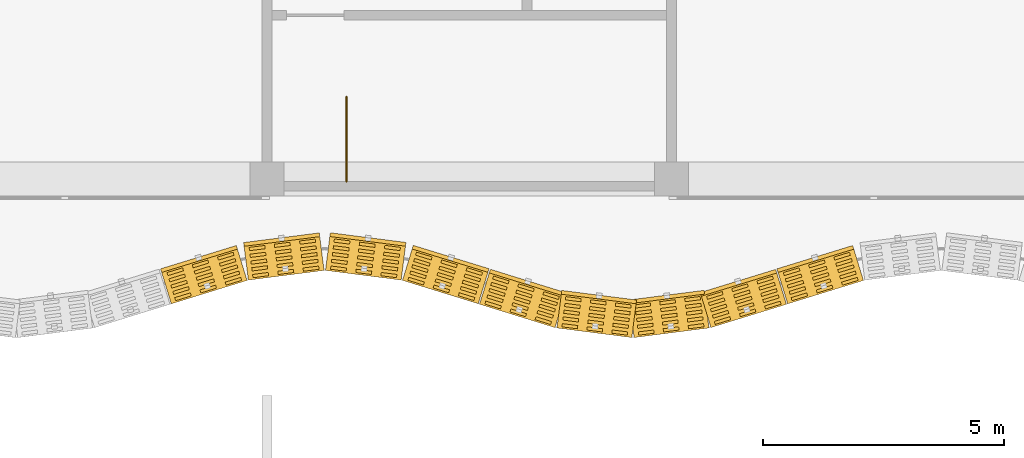
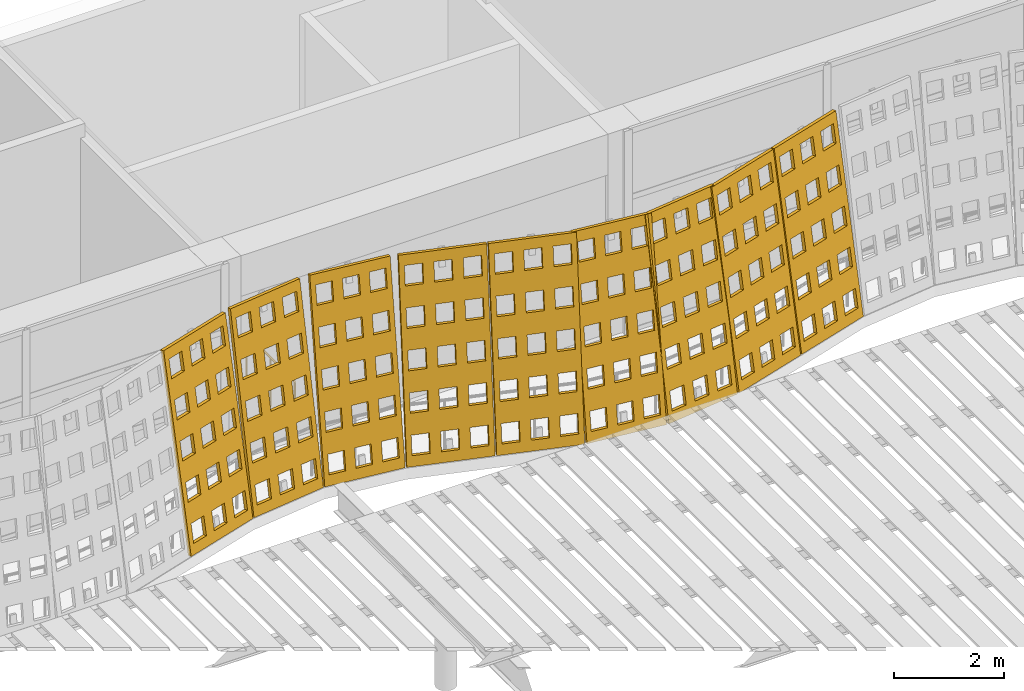
# One storey, part 137 of 162: 9 coverings, 1 railing.
"""IFC4 building model written with IfcOpenShell, lengths in metres."""

from ifc_helpers import new_model, si_unit, direction, frame, origin, origin_2d, place, context, subcontext, project, spatial, polyline, circle, outline, extrude, material, layer, layer_set, type_object, element, save


model = new_model("IFC4")

# Units and contexts
model_context = context("Model", 3, precision=1e-05, world=origin(), true_north=direction((0.0, 1.0)))
body_context = subcontext(model_context, "Body", "Model", "MODEL_VIEW")
ifc_project = project(units=[si_unit("LENGTHUNIT", "METRE"), si_unit("AREAUNIT", "SQUARE_METRE"), si_unit("VOLUMEUNIT", "CUBIC_METRE"), si_unit("PLANEANGLEUNIT", "RADIAN"), si_unit("MASSUNIT", "GRAM", prefix="KILO")], contexts=[model_context])

# Site, building, storey
site_placement = place(None, origin())
site = spatial("IfcSite", under=ifc_project, at=site_placement, CompositionType="ELEMENT")
building_placement = place(site_placement, origin())
building = spatial("IfcBuilding", under=site, at=building_placement, Name="Rain Tree Exposition and Congress Centre", CompositionType="ELEMENT")
storey_placement = place(building_placement, frame((0.0, 0.0, 6.0)))
storey = spatial("IfcBuildingStorey", under=building, at=storey_placement, Name="L01", CompositionType="ELEMENT", Elevation=6.0)

# Railing
ifc_material_1 = material(Name="Aluminium and glass balustrade", Category="aluminium")
railing_type = type_object("IfcRailingType", Name="Concourse guard 1100", PredefinedType="GUARDRAIL", material=ifc_material_1)
railing_placement = place(storey_placement, frame((77.25, 75.550048828125, 0.0)))
element("IfcRailing", 1, at=railing_placement, inside=storey, type_object=railing_type, Name="L01 ST-C2 top well guard 1", PredefinedType="GUARDRAIL", context=body_context, shape_type="SweptSolid", body=[
    extrude(circle(Radius=0.02392578125, at=origin_2d()), frame((0.0, 0.0, 1.076171875), z_axis=(0.0, 1.0, 0.0), x_axis=(-1.0, 0.0, 0.0)), (0.0, 0.0, 1.0), 1.75),
    extrude(circle(Radius=0.02099609375, at=origin_2d()), origin(), (0.0, 0.0, 1.0), 1.052001953125),
    extrude(circle(Radius=0.02099609375, at=origin_2d()), frame((0.0, 0.875, 0.0)), (0.0, 0.0, 1.0), 1.052001953125),
    extrude(circle(Radius=0.02099609375, at=origin_2d()), frame((0.0, 1.75, 0.0)), (0.0, 0.0, 1.0), 1.052001953125),
])

# Coverings
ifc_material_2 = material(Name="Perforated terracotta", Category="masonry")
ifc_layer = layer(ifc_material_2, 0.080078125)
ifc_layer_set = layer_set([ifc_layer], Name="Perforated terracotta")
covering_type = type_object("IfcCoveringType", Name="Terracotta screen 80", PredefinedType="CLADDING", material=ifc_layer_set)
covering_1_placement = place(storey_placement, frame((73.599365234375, 73.001708984375, 0.0126953125), z_axis=(-0.290138898064, 0.943714942124, -0.158812870519), x_axis=(-0.955845867297, -0.293868470528, 0.0)))
element("IfcCovering", 2, at=covering_1_placement, inside=storey, type_object=covering_type, Name="concourse/screen/L01/047", PredefinedType="CLADDING", context=body_context, shape_type="SweptSolid", body=[
    extrude(outline(polyline([(-1.659912109375, 0.0), (-1.659912109375, 4.29150390625), (-0.014892578125, 4.29150390625), (-0.014892578125, 0.0), (-1.659912109375, 0.0)]), holes=[polyline([(-0.119140625, 0.221435546875), (-0.119140625, 0.63671875), (-0.458984375, 0.63671875), (-0.458984375, 0.221435546875), (-0.119140625, 0.221435546875)]), polyline([(-0.119140625, 1.079833984375), (-0.119140625, 1.4951171875), (-0.458984375, 1.4951171875), (-0.458984375, 1.079833984375), (-0.119140625, 1.079833984375)]), polyline([(-0.119140625, 1.93798828125), (-0.119140625, 2.353271484375), (-0.458984375, 2.353271484375), (-0.458984375, 1.93798828125), (-0.119140625, 1.93798828125)]), polyline([(-0.119140625, 2.79638671875), (-0.119140625, 3.211669921875), (-0.458984375, 3.211669921875), (-0.458984375, 2.79638671875), (-0.119140625, 2.79638671875)]), polyline([(-0.119140625, 3.654541015625), (-0.119140625, 4.06982421875), (-0.458984375, 4.06982421875), (-0.458984375, 3.654541015625), (-0.119140625, 3.654541015625)]), polyline([(-0.66748046875, 0.221435546875), (-0.66748046875, 0.63671875), (-1.00732421875, 0.63671875), (-1.00732421875, 0.221435546875), (-0.66748046875, 0.221435546875)]), polyline([(-0.66748046875, 1.079833984375), (-0.66748046875, 1.4951171875), (-1.00732421875, 1.4951171875), (-1.00732421875, 1.079833984375), (-0.66748046875, 1.079833984375)]), polyline([(-0.66748046875, 1.93798828125), (-0.66748046875, 2.353271484375), (-1.00732421875, 2.353271484375), (-1.00732421875, 1.93798828125), (-0.66748046875, 1.93798828125)]), polyline([(-0.66748046875, 2.79638671875), (-0.66748046875, 3.211669921875), (-1.00732421875, 3.211669921875), (-1.00732421875, 2.79638671875), (-0.66748046875, 2.79638671875)]), polyline([(-0.66748046875, 3.654541015625), (-0.66748046875, 4.06982421875), (-1.00732421875, 4.06982421875), (-1.00732421875, 3.654541015625), (-0.66748046875, 3.654541015625)]), polyline([(-1.2158203125, 0.221435546875), (-1.2158203125, 0.63671875), (-1.5556640625, 0.63671875), (-1.5556640625, 0.221435546875), (-1.2158203125, 0.221435546875)]), polyline([(-1.2158203125, 1.079833984375), (-1.2158203125, 1.4951171875), (-1.5556640625, 1.4951171875), (-1.5556640625, 1.079833984375), (-1.2158203125, 1.079833984375)]), polyline([(-1.2158203125, 1.93798828125), (-1.2158203125, 2.353271484375), (-1.5556640625, 2.353271484375), (-1.5556640625, 1.93798828125), (-1.2158203125, 1.93798828125)]), polyline([(-1.2158203125, 2.79638671875), (-1.2158203125, 3.211669921875), (-1.5556640625, 3.211669921875), (-1.5556640625, 2.79638671875), (-1.2158203125, 2.79638671875)]), polyline([(-1.2158203125, 3.654541015625), (-1.2158203125, 4.06982421875), (-1.5556640625, 4.06982421875), (-1.5556640625, 3.654541015625), (-1.2158203125, 3.654541015625)])]), origin(), (0.0, 0.0, 1.0), 0.079833984375),
])
covering_2_placement = place(storey_placement, frame((75.19970703125, 73.496826171875, 0.01318359375), z_axis=(-0.124968640969, 0.978413018317, -0.164592844203), x_axis=(-0.991941518713, -0.126696580272, 0.0)))
element("IfcCovering", 3, at=covering_2_placement, inside=storey, type_object=covering_type, Name="concourse/screen/L01/048", PredefinedType="CLADDING", context=body_context, shape_type="SweptSolid", body=[
    extrude(outline(polyline([(-1.59814453125, 0.0), (-1.59814453125, 4.295166015625), (-0.014892578125, 4.295166015625), (-0.014892578125, 0.0), (-1.59814453125, 0.0)]), holes=[polyline([(-0.115234375, 0.2216796875), (-0.115234375, 0.63720703125), (-0.4423828125, 0.63720703125), (-0.4423828125, 0.2216796875), (-0.115234375, 0.2216796875)]), polyline([(-0.115234375, 1.080810546875), (-0.115234375, 1.496337890625), (-0.4423828125, 1.496337890625), (-0.4423828125, 1.080810546875), (-0.115234375, 1.080810546875)]), polyline([(-0.115234375, 1.939697265625), (-0.115234375, 2.35546875), (-0.4423828125, 2.35546875), (-0.4423828125, 1.939697265625), (-0.115234375, 1.939697265625)]), polyline([(-0.115234375, 2.798583984375), (-0.115234375, 3.21435546875), (-0.4423828125, 3.21435546875), (-0.4423828125, 2.798583984375), (-0.115234375, 2.798583984375)]), polyline([(-0.115234375, 3.65771484375), (-0.115234375, 4.073486328125), (-0.4423828125, 4.073486328125), (-0.4423828125, 3.65771484375), (-0.115234375, 3.65771484375)]), polyline([(-0.64306640625, 0.2216796875), (-0.64306640625, 0.63720703125), (-0.97021484375, 0.63720703125), (-0.97021484375, 0.2216796875), (-0.64306640625, 0.2216796875)]), polyline([(-0.64306640625, 1.080810546875), (-0.64306640625, 1.496337890625), (-0.97021484375, 1.496337890625), (-0.97021484375, 1.080810546875), (-0.64306640625, 1.080810546875)]), polyline([(-0.64306640625, 1.939697265625), (-0.64306640625, 2.35546875), (-0.97021484375, 2.35546875), (-0.97021484375, 1.939697265625), (-0.64306640625, 1.939697265625)]), polyline([(-0.64306640625, 2.798583984375), (-0.64306640625, 3.21435546875), (-0.97021484375, 3.21435546875), (-0.97021484375, 2.798583984375), (-0.64306640625, 2.798583984375)]), polyline([(-0.64306640625, 3.65771484375), (-0.64306640625, 4.073486328125), (-0.97021484375, 4.073486328125), (-0.97021484375, 3.65771484375), (-0.64306640625, 3.65771484375)]), polyline([(-1.170654296875, 0.2216796875), (-1.170654296875, 0.63720703125), (-1.497802734375, 0.63720703125), (-1.497802734375, 0.2216796875), (-1.170654296875, 0.2216796875)]), polyline([(-1.170654296875, 1.080810546875), (-1.170654296875, 1.496337890625), (-1.497802734375, 1.496337890625), (-1.497802734375, 1.080810546875), (-1.170654296875, 1.080810546875)]), polyline([(-1.170654296875, 1.939697265625), (-1.170654296875, 2.35546875), (-1.497802734375, 2.35546875), (-1.497802734375, 1.939697265625), (-1.170654296875, 1.939697265625)]), polyline([(-1.170654296875, 2.798583984375), (-1.170654296875, 3.21435546875), (-1.497802734375, 3.21435546875), (-1.497802734375, 2.798583984375), (-1.170654296875, 2.798583984375)]), polyline([(-1.170654296875, 3.65771484375), (-1.170654296875, 4.073486328125), (-1.497802734375, 4.073486328125), (-1.497802734375, 3.65771484375), (-1.170654296875, 3.65771484375)])]), origin(), (0.0, 0.0, 1.0), 0.080078125),
])
covering_3_placement = place(storey_placement, frame((76.80029296875, 73.701904296875, 0.01318359375), z_axis=(0.125342414455, 0.978282259159, -0.165085131233), x_axis=(-0.991891686382, 0.127086122318, 0.0)))
element("IfcCovering", 4, at=covering_3_placement, inside=storey, type_object=covering_type, Name="concourse/screen/L01/049", PredefinedType="CLADDING", context=body_context, shape_type="SweptSolid", body=[
    extrude(outline(polyline([(-1.59814453125, 0.0), (-1.59814453125, 4.295166015625), (-0.014892578125, 4.295166015625), (-0.014892578125, 0.0), (-1.59814453125, 0.0)]), holes=[polyline([(-0.115234375, 0.2216796875), (-0.115234375, 0.63720703125), (-0.4423828125, 0.63720703125), (-0.4423828125, 0.2216796875), (-0.115234375, 0.2216796875)]), polyline([(-0.115234375, 1.080810546875), (-0.115234375, 1.496337890625), (-0.4423828125, 1.496337890625), (-0.4423828125, 1.080810546875), (-0.115234375, 1.080810546875)]), polyline([(-0.115234375, 1.939697265625), (-0.115234375, 2.35546875), (-0.4423828125, 2.35546875), (-0.4423828125, 1.939697265625), (-0.115234375, 1.939697265625)]), polyline([(-0.115234375, 2.798583984375), (-0.115234375, 3.21435546875), (-0.4423828125, 3.21435546875), (-0.4423828125, 2.798583984375), (-0.115234375, 2.798583984375)]), polyline([(-0.115234375, 3.65771484375), (-0.115234375, 4.073486328125), (-0.4423828125, 4.073486328125), (-0.4423828125, 3.65771484375), (-0.115234375, 3.65771484375)]), polyline([(-0.64306640625, 0.2216796875), (-0.64306640625, 0.63720703125), (-0.97021484375, 0.63720703125), (-0.97021484375, 0.2216796875), (-0.64306640625, 0.2216796875)]), polyline([(-0.64306640625, 1.080810546875), (-0.64306640625, 1.496337890625), (-0.97021484375, 1.496337890625), (-0.97021484375, 1.080810546875), (-0.64306640625, 1.080810546875)]), polyline([(-0.64306640625, 1.939697265625), (-0.64306640625, 2.35546875), (-0.97021484375, 2.35546875), (-0.97021484375, 1.939697265625), (-0.64306640625, 1.939697265625)]), polyline([(-0.64306640625, 2.798583984375), (-0.64306640625, 3.21435546875), (-0.97021484375, 3.21435546875), (-0.97021484375, 2.798583984375), (-0.64306640625, 2.798583984375)]), polyline([(-0.64306640625, 3.65771484375), (-0.64306640625, 4.073486328125), (-0.97021484375, 4.073486328125), (-0.97021484375, 3.65771484375), (-0.64306640625, 3.65771484375)]), polyline([(-1.170654296875, 0.2216796875), (-1.170654296875, 0.63720703125), (-1.497802734375, 0.63720703125), (-1.497802734375, 0.2216796875), (-1.170654296875, 0.2216796875)]), polyline([(-1.170654296875, 1.080810546875), (-1.170654296875, 1.496337890625), (-1.497802734375, 1.496337890625), (-1.497802734375, 1.080810546875), (-1.170654296875, 1.080810546875)]), polyline([(-1.170654296875, 1.939697265625), (-1.170654296875, 2.35546875), (-1.497802734375, 2.35546875), (-1.497802734375, 1.939697265625), (-1.170654296875, 1.939697265625)]), polyline([(-1.170654296875, 2.798583984375), (-1.170654296875, 3.21435546875), (-1.497802734375, 3.21435546875), (-1.497802734375, 2.798583984375), (-1.170654296875, 2.798583984375)]), polyline([(-1.170654296875, 3.65771484375), (-1.170654296875, 4.073486328125), (-1.497802734375, 4.073486328125), (-1.497802734375, 3.65771484375), (-1.170654296875, 3.65771484375)])]), origin(), (0.0, 0.0, 1.0), 0.079833984375),
])
covering_4_placement = place(storey_placement, frame((78.400634765625, 73.49658203125, 0.0126953125), z_axis=(0.290138898064, 0.943714942124, -0.158812870519), x_axis=(-0.955845867297, 0.293868470528, 0.0)))
element("IfcCovering", 5, at=covering_4_placement, inside=storey, type_object=covering_type, Name="concourse/screen/L01/050", PredefinedType="CLADDING", context=body_context, shape_type="SweptSolid", body=[
    extrude(outline(polyline([(-1.659912109375, 0.0), (-1.659912109375, 4.29150390625), (-0.014892578125, 4.29150390625), (-0.014892578125, 0.0), (-1.659912109375, 0.0)]), holes=[polyline([(-0.119140625, 0.221435546875), (-0.119140625, 0.63671875), (-0.458984375, 0.63671875), (-0.458984375, 0.221435546875), (-0.119140625, 0.221435546875)]), polyline([(-0.119140625, 1.079833984375), (-0.119140625, 1.4951171875), (-0.458984375, 1.4951171875), (-0.458984375, 1.079833984375), (-0.119140625, 1.079833984375)]), polyline([(-0.119140625, 1.93798828125), (-0.119140625, 2.353271484375), (-0.458984375, 2.353271484375), (-0.458984375, 1.93798828125), (-0.119140625, 1.93798828125)]), polyline([(-0.119140625, 2.79638671875), (-0.119140625, 3.211669921875), (-0.458984375, 3.211669921875), (-0.458984375, 2.79638671875), (-0.119140625, 2.79638671875)]), polyline([(-0.119140625, 3.654541015625), (-0.119140625, 4.06982421875), (-0.458984375, 4.06982421875), (-0.458984375, 3.654541015625), (-0.119140625, 3.654541015625)]), polyline([(-0.66748046875, 0.221435546875), (-0.66748046875, 0.63671875), (-1.00732421875, 0.63671875), (-1.00732421875, 0.221435546875), (-0.66748046875, 0.221435546875)]), polyline([(-0.66748046875, 1.079833984375), (-0.66748046875, 1.4951171875), (-1.00732421875, 1.4951171875), (-1.00732421875, 1.079833984375), (-0.66748046875, 1.079833984375)]), polyline([(-0.66748046875, 1.93798828125), (-0.66748046875, 2.353271484375), (-1.00732421875, 2.353271484375), (-1.00732421875, 1.93798828125), (-0.66748046875, 1.93798828125)]), polyline([(-0.66748046875, 2.79638671875), (-0.66748046875, 3.211669921875), (-1.00732421875, 3.211669921875), (-1.00732421875, 2.79638671875), (-0.66748046875, 2.79638671875)]), polyline([(-0.66748046875, 3.654541015625), (-0.66748046875, 4.06982421875), (-1.00732421875, 4.06982421875), (-1.00732421875, 3.654541015625), (-0.66748046875, 3.654541015625)]), polyline([(-1.2158203125, 0.221435546875), (-1.2158203125, 0.63671875), (-1.5556640625, 0.63671875), (-1.5556640625, 0.221435546875), (-1.2158203125, 0.221435546875)]), polyline([(-1.2158203125, 1.079833984375), (-1.2158203125, 1.4951171875), (-1.5556640625, 1.4951171875), (-1.5556640625, 1.079833984375), (-1.2158203125, 1.079833984375)]), polyline([(-1.2158203125, 1.93798828125), (-1.2158203125, 2.353271484375), (-1.5556640625, 2.353271484375), (-1.5556640625, 1.93798828125), (-1.2158203125, 1.93798828125)]), polyline([(-1.2158203125, 2.79638671875), (-1.2158203125, 3.211669921875), (-1.5556640625, 3.211669921875), (-1.5556640625, 2.79638671875), (-1.2158203125, 2.79638671875)]), polyline([(-1.2158203125, 3.654541015625), (-1.2158203125, 4.06982421875), (-1.5556640625, 4.06982421875), (-1.5556640625, 3.654541015625), (-1.2158203125, 3.654541015625)])]), origin(), (0.0, 0.0, 1.0), 0.079833984375),
])
covering_5_placement = place(storey_placement, frame((80.00048828125, 73.001708984375, 0.0126953125), z_axis=(0.292932171154, 0.942875425902, -0.158671592708), x_axis=(-0.954973588716, 0.296690823679, 0.0)))
element("IfcCovering", 6, at=covering_5_placement, inside=storey, type_object=covering_type, Name="concourse/screen/L01/051", PredefinedType="CLADDING", context=body_context, shape_type="SweptSolid", body=[
    extrude(outline(polyline([(-1.65283203125, 0.0), (-1.65283203125, 4.29150390625), (-0.014892578125, 4.29150390625), (-0.014892578125, 0.0), (-1.65283203125, 0.0)]), holes=[polyline([(-0.11865234375, 0.221435546875), (-0.11865234375, 0.63671875), (-0.457275390625, 0.63671875), (-0.457275390625, 0.221435546875), (-0.11865234375, 0.221435546875)]), polyline([(-0.11865234375, 1.079833984375), (-0.11865234375, 1.4951171875), (-0.457275390625, 1.4951171875), (-0.457275390625, 1.079833984375), (-0.11865234375, 1.079833984375)]), polyline([(-0.11865234375, 1.93798828125), (-0.11865234375, 2.353271484375), (-0.457275390625, 2.353271484375), (-0.457275390625, 1.93798828125), (-0.11865234375, 1.93798828125)]), polyline([(-0.11865234375, 2.79638671875), (-0.11865234375, 3.211669921875), (-0.457275390625, 3.211669921875), (-0.457275390625, 2.79638671875), (-0.11865234375, 2.79638671875)]), polyline([(-0.11865234375, 3.654541015625), (-0.11865234375, 4.06982421875), (-0.457275390625, 4.06982421875), (-0.457275390625, 3.654541015625), (-0.11865234375, 3.654541015625)]), polyline([(-0.664794921875, 0.221435546875), (-0.664794921875, 0.63671875), (-1.003173828125, 0.63671875), (-1.003173828125, 0.221435546875), (-0.664794921875, 0.221435546875)]), polyline([(-0.664794921875, 1.079833984375), (-0.664794921875, 1.4951171875), (-1.003173828125, 1.4951171875), (-1.003173828125, 1.079833984375), (-0.664794921875, 1.079833984375)]), polyline([(-0.664794921875, 1.93798828125), (-0.664794921875, 2.353271484375), (-1.003173828125, 2.353271484375), (-1.003173828125, 1.93798828125), (-0.664794921875, 1.93798828125)]), polyline([(-0.664794921875, 2.79638671875), (-0.664794921875, 3.211669921875), (-1.003173828125, 3.211669921875), (-1.003173828125, 2.79638671875), (-0.664794921875, 2.79638671875)]), polyline([(-0.664794921875, 3.654541015625), (-0.664794921875, 4.06982421875), (-1.003173828125, 4.06982421875), (-1.003173828125, 3.654541015625), (-0.664794921875, 3.654541015625)]), polyline([(-1.210693359375, 0.221435546875), (-1.210693359375, 0.63671875), (-1.54931640625, 0.63671875), (-1.54931640625, 0.221435546875), (-1.210693359375, 0.221435546875)]), polyline([(-1.210693359375, 1.079833984375), (-1.210693359375, 1.4951171875), (-1.54931640625, 1.4951171875), (-1.54931640625, 1.079833984375), (-1.210693359375, 1.079833984375)]), polyline([(-1.210693359375, 1.93798828125), (-1.210693359375, 2.353271484375), (-1.54931640625, 2.353271484375), (-1.54931640625, 1.93798828125), (-1.210693359375, 1.93798828125)]), polyline([(-1.210693359375, 2.79638671875), (-1.210693359375, 3.211669921875), (-1.54931640625, 3.211669921875), (-1.54931640625, 2.79638671875), (-1.210693359375, 2.79638671875)]), polyline([(-1.210693359375, 3.654541015625), (-1.210693359375, 4.06982421875), (-1.54931640625, 4.06982421875), (-1.54931640625, 3.654541015625), (-1.210693359375, 3.654541015625)])]), origin(), (0.0, 0.0, 1.0), 0.080078125),
])
covering_6_placement = place(storey_placement, frame((81.600341796875, 72.5068359375, 0.01318359375), z_axis=(0.124968640969, 0.978413018317, -0.164592844203), x_axis=(-0.991941518713, 0.126696580272, 0.0)))
element("IfcCovering", 7, at=covering_6_placement, inside=storey, type_object=covering_type, Name="concourse/screen/L01/052", PredefinedType="CLADDING", context=body_context, shape_type="SweptSolid", body=[
    extrude(outline(polyline([(-1.587890625, 0.0), (-1.587890625, 4.295166015625), (-0.02197265625, 4.295166015625), (-0.02197265625, 0.0), (-1.587890625, 0.0)]), holes=[polyline([(-0.12109375, 0.2216796875), (-0.12109375, 0.63720703125), (-0.444580078125, 0.63720703125), (-0.444580078125, 0.2216796875), (-0.12109375, 0.2216796875)]), polyline([(-0.12109375, 1.080810546875), (-0.12109375, 1.496337890625), (-0.444580078125, 1.496337890625), (-0.444580078125, 1.080810546875), (-0.12109375, 1.080810546875)]), polyline([(-0.12109375, 1.939697265625), (-0.12109375, 2.35546875), (-0.444580078125, 2.35546875), (-0.444580078125, 1.939697265625), (-0.12109375, 1.939697265625)]), polyline([(-0.12109375, 2.798583984375), (-0.12109375, 3.21435546875), (-0.444580078125, 3.21435546875), (-0.444580078125, 2.798583984375), (-0.12109375, 2.798583984375)]), polyline([(-0.12109375, 3.65771484375), (-0.12109375, 4.073486328125), (-0.444580078125, 4.073486328125), (-0.444580078125, 3.65771484375), (-0.12109375, 3.65771484375)]), polyline([(-0.64306640625, 0.2216796875), (-0.64306640625, 0.63720703125), (-0.966796875, 0.63720703125), (-0.966796875, 0.2216796875), (-0.64306640625, 0.2216796875)]), polyline([(-0.64306640625, 1.080810546875), (-0.64306640625, 1.496337890625), (-0.966796875, 1.496337890625), (-0.966796875, 1.080810546875), (-0.64306640625, 1.080810546875)]), polyline([(-0.64306640625, 1.939697265625), (-0.64306640625, 2.35546875), (-0.966796875, 2.35546875), (-0.966796875, 1.939697265625), (-0.64306640625, 1.939697265625)]), polyline([(-0.64306640625, 2.798583984375), (-0.64306640625, 3.21435546875), (-0.966796875, 3.21435546875), (-0.966796875, 2.798583984375), (-0.64306640625, 2.798583984375)]), polyline([(-0.64306640625, 3.65771484375), (-0.64306640625, 4.073486328125), (-0.966796875, 4.073486328125), (-0.966796875, 3.65771484375), (-0.64306640625, 3.65771484375)]), polyline([(-1.1650390625, 0.2216796875), (-1.1650390625, 0.63720703125), (-1.48876953125, 0.63720703125), (-1.48876953125, 0.2216796875), (-1.1650390625, 0.2216796875)]), polyline([(-1.1650390625, 1.080810546875), (-1.1650390625, 1.496337890625), (-1.48876953125, 1.496337890625), (-1.48876953125, 1.080810546875), (-1.1650390625, 1.080810546875)]), polyline([(-1.1650390625, 1.939697265625), (-1.1650390625, 2.35546875), (-1.48876953125, 2.35546875), (-1.48876953125, 1.939697265625), (-1.1650390625, 1.939697265625)]), polyline([(-1.1650390625, 2.798583984375), (-1.1650390625, 3.21435546875), (-1.48876953125, 3.21435546875), (-1.48876953125, 2.798583984375), (-1.1650390625, 2.798583984375)]), polyline([(-1.1650390625, 3.65771484375), (-1.1650390625, 4.073486328125), (-1.48876953125, 4.073486328125), (-1.48876953125, 3.65771484375), (-1.1650390625, 3.65771484375)])]), origin(), (0.0, 0.0, 1.0), 0.080078125),
])
covering_7_placement = place(storey_placement, frame((83.19970703125, 72.302001953125, 0.01318359375), z_axis=(-0.125342414455, 0.978282259159, -0.165085131233), x_axis=(-0.991891686382, -0.127086122318, 0.0)))
element("IfcCovering", 8, at=covering_7_placement, inside=storey, type_object=covering_type, Name="concourse/screen/L01/053", PredefinedType="CLADDING", context=body_context, shape_type="SweptSolid", body=[
    extrude(outline(polyline([(-1.59130859375, 0.0), (-1.59130859375, 4.295166015625), (-0.025146484375, 4.295166015625), (-0.025146484375, 0.0), (-1.59130859375, 0.0)]), holes=[polyline([(-0.12451171875, 0.2216796875), (-0.12451171875, 0.63720703125), (-0.447998046875, 0.63720703125), (-0.447998046875, 0.2216796875), (-0.12451171875, 0.2216796875)]), polyline([(-0.12451171875, 1.080810546875), (-0.12451171875, 1.496337890625), (-0.447998046875, 1.496337890625), (-0.447998046875, 1.080810546875), (-0.12451171875, 1.080810546875)]), polyline([(-0.12451171875, 1.939697265625), (-0.12451171875, 2.35546875), (-0.447998046875, 2.35546875), (-0.447998046875, 1.939697265625), (-0.12451171875, 1.939697265625)]), polyline([(-0.12451171875, 2.798583984375), (-0.12451171875, 3.21435546875), (-0.447998046875, 3.21435546875), (-0.447998046875, 2.798583984375), (-0.12451171875, 2.798583984375)]), polyline([(-0.12451171875, 3.65771484375), (-0.12451171875, 4.073486328125), (-0.447998046875, 4.073486328125), (-0.447998046875, 3.65771484375), (-0.12451171875, 3.65771484375)]), polyline([(-0.646484375, 0.2216796875), (-0.646484375, 0.63720703125), (-0.969970703125, 0.63720703125), (-0.969970703125, 0.2216796875), (-0.646484375, 0.2216796875)]), polyline([(-0.646484375, 1.080810546875), (-0.646484375, 1.496337890625), (-0.969970703125, 1.496337890625), (-0.969970703125, 1.080810546875), (-0.646484375, 1.080810546875)]), polyline([(-0.646484375, 1.939697265625), (-0.646484375, 2.35546875), (-0.969970703125, 2.35546875), (-0.969970703125, 1.939697265625), (-0.646484375, 1.939697265625)]), polyline([(-0.646484375, 2.798583984375), (-0.646484375, 3.21435546875), (-0.969970703125, 3.21435546875), (-0.969970703125, 2.798583984375), (-0.646484375, 2.798583984375)]), polyline([(-0.646484375, 3.65771484375), (-0.646484375, 4.073486328125), (-0.969970703125, 4.073486328125), (-0.969970703125, 3.65771484375), (-0.646484375, 3.65771484375)]), polyline([(-1.16845703125, 0.2216796875), (-1.16845703125, 0.63720703125), (-1.491943359375, 0.63720703125), (-1.491943359375, 0.2216796875), (-1.16845703125, 0.2216796875)]), polyline([(-1.16845703125, 1.080810546875), (-1.16845703125, 1.496337890625), (-1.491943359375, 1.496337890625), (-1.491943359375, 1.080810546875), (-1.16845703125, 1.080810546875)]), polyline([(-1.16845703125, 1.939697265625), (-1.16845703125, 2.35546875), (-1.491943359375, 2.35546875), (-1.491943359375, 1.939697265625), (-1.16845703125, 1.939697265625)]), polyline([(-1.16845703125, 2.798583984375), (-1.16845703125, 3.21435546875), (-1.491943359375, 3.21435546875), (-1.491943359375, 2.798583984375), (-1.16845703125, 2.798583984375)]), polyline([(-1.16845703125, 3.65771484375), (-1.16845703125, 4.073486328125), (-1.491943359375, 4.073486328125), (-1.491943359375, 3.65771484375), (-1.16845703125, 3.65771484375)])]), origin(), (0.0, 0.0, 1.0), 0.079833984375),
])
covering_8_placement = place(storey_placement, frame((84.79931640625, 72.506591796875, 0.0126953125), z_axis=(-0.290138898064, 0.943714942124, -0.158812870519), x_axis=(-0.955845867297, -0.293868470528, 0.0)))
element("IfcCovering", 9, at=covering_8_placement, inside=storey, type_object=covering_type, Name="concourse/screen/L01/054", PredefinedType="CLADDING", context=body_context, shape_type="SweptSolid", body=[
    extrude(outline(polyline([(-1.659912109375, 0.0), (-1.659912109375, 4.29150390625), (-0.02197265625, 4.29150390625), (-0.02197265625, 0.0), (-1.659912109375, 0.0)]), holes=[polyline([(-0.125732421875, 0.221435546875), (-0.125732421875, 0.63671875), (-0.464111328125, 0.63671875), (-0.464111328125, 0.221435546875), (-0.125732421875, 0.221435546875)]), polyline([(-0.125732421875, 1.079833984375), (-0.125732421875, 1.4951171875), (-0.464111328125, 1.4951171875), (-0.464111328125, 1.079833984375), (-0.125732421875, 1.079833984375)]), polyline([(-0.125732421875, 1.93798828125), (-0.125732421875, 2.353271484375), (-0.464111328125, 2.353271484375), (-0.464111328125, 1.93798828125), (-0.125732421875, 1.93798828125)]), polyline([(-0.125732421875, 2.79638671875), (-0.125732421875, 3.211669921875), (-0.464111328125, 3.211669921875), (-0.464111328125, 2.79638671875), (-0.125732421875, 2.79638671875)]), polyline([(-0.125732421875, 3.654541015625), (-0.125732421875, 4.06982421875), (-0.464111328125, 4.06982421875), (-0.464111328125, 3.654541015625), (-0.125732421875, 3.654541015625)]), polyline([(-0.671630859375, 0.221435546875), (-0.671630859375, 0.63671875), (-1.010009765625, 0.63671875), (-1.010009765625, 0.221435546875), (-0.671630859375, 0.221435546875)]), polyline([(-0.671630859375, 1.079833984375), (-0.671630859375, 1.4951171875), (-1.010009765625, 1.4951171875), (-1.010009765625, 1.079833984375), (-0.671630859375, 1.079833984375)]), polyline([(-0.671630859375, 1.93798828125), (-0.671630859375, 2.353271484375), (-1.010009765625, 2.353271484375), (-1.010009765625, 1.93798828125), (-0.671630859375, 1.93798828125)]), polyline([(-0.671630859375, 2.79638671875), (-0.671630859375, 3.211669921875), (-1.010009765625, 3.211669921875), (-1.010009765625, 2.79638671875), (-0.671630859375, 2.79638671875)]), polyline([(-0.671630859375, 3.654541015625), (-0.671630859375, 4.06982421875), (-1.010009765625, 4.06982421875), (-1.010009765625, 3.654541015625), (-0.671630859375, 3.654541015625)]), polyline([(-1.217529296875, 0.221435546875), (-1.217529296875, 0.63671875), (-1.55615234375, 0.63671875), (-1.55615234375, 0.221435546875), (-1.217529296875, 0.221435546875)]), polyline([(-1.217529296875, 1.079833984375), (-1.217529296875, 1.4951171875), (-1.55615234375, 1.4951171875), (-1.55615234375, 1.079833984375), (-1.217529296875, 1.079833984375)]), polyline([(-1.217529296875, 1.93798828125), (-1.217529296875, 2.353271484375), (-1.55615234375, 2.353271484375), (-1.55615234375, 1.93798828125), (-1.217529296875, 1.93798828125)]), polyline([(-1.217529296875, 2.79638671875), (-1.217529296875, 3.211669921875), (-1.55615234375, 3.211669921875), (-1.55615234375, 2.79638671875), (-1.217529296875, 2.79638671875)]), polyline([(-1.217529296875, 3.654541015625), (-1.217529296875, 4.06982421875), (-1.55615234375, 4.06982421875), (-1.55615234375, 3.654541015625), (-1.217529296875, 3.654541015625)])]), origin(), (0.0, 0.0, 1.0), 0.079833984375),
])
covering_9_placement = place(storey_placement, frame((86.3994140625, 73.001708984375, 0.0126953125), z_axis=(-0.290138898064, 0.943714942124, -0.158812870519), x_axis=(-0.955845867297, -0.293868470528, 0.0)))
element("IfcCovering", 10, at=covering_9_placement, inside=storey, type_object=covering_type, Name="concourse/screen/L01/055", PredefinedType="CLADDING", context=body_context, shape_type="SweptSolid", body=[
    extrude(outline(polyline([(-1.659912109375, 0.0), (-1.659912109375, 4.29150390625), (-0.014892578125, 4.29150390625), (-0.014892578125, 0.0), (-1.659912109375, 0.0)]), holes=[polyline([(-0.119140625, 0.221435546875), (-0.119140625, 0.63671875), (-0.458984375, 0.63671875), (-0.458984375, 0.221435546875), (-0.119140625, 0.221435546875)]), polyline([(-0.119140625, 1.079833984375), (-0.119140625, 1.4951171875), (-0.458984375, 1.4951171875), (-0.458984375, 1.079833984375), (-0.119140625, 1.079833984375)]), polyline([(-0.119140625, 1.93798828125), (-0.119140625, 2.353271484375), (-0.458984375, 2.353271484375), (-0.458984375, 1.93798828125), (-0.119140625, 1.93798828125)]), polyline([(-0.119140625, 2.79638671875), (-0.119140625, 3.211669921875), (-0.458984375, 3.211669921875), (-0.458984375, 2.79638671875), (-0.119140625, 2.79638671875)]), polyline([(-0.119140625, 3.654541015625), (-0.119140625, 4.06982421875), (-0.458984375, 4.06982421875), (-0.458984375, 3.654541015625), (-0.119140625, 3.654541015625)]), polyline([(-0.66748046875, 0.221435546875), (-0.66748046875, 0.63671875), (-1.00732421875, 0.63671875), (-1.00732421875, 0.221435546875), (-0.66748046875, 0.221435546875)]), polyline([(-0.66748046875, 1.079833984375), (-0.66748046875, 1.4951171875), (-1.00732421875, 1.4951171875), (-1.00732421875, 1.079833984375), (-0.66748046875, 1.079833984375)]), polyline([(-0.66748046875, 1.93798828125), (-0.66748046875, 2.353271484375), (-1.00732421875, 2.353271484375), (-1.00732421875, 1.93798828125), (-0.66748046875, 1.93798828125)]), polyline([(-0.66748046875, 2.79638671875), (-0.66748046875, 3.211669921875), (-1.00732421875, 3.211669921875), (-1.00732421875, 2.79638671875), (-0.66748046875, 2.79638671875)]), polyline([(-0.66748046875, 3.654541015625), (-0.66748046875, 4.06982421875), (-1.00732421875, 4.06982421875), (-1.00732421875, 3.654541015625), (-0.66748046875, 3.654541015625)]), polyline([(-1.2158203125, 0.221435546875), (-1.2158203125, 0.63671875), (-1.5556640625, 0.63671875), (-1.5556640625, 0.221435546875), (-1.2158203125, 0.221435546875)]), polyline([(-1.2158203125, 1.079833984375), (-1.2158203125, 1.4951171875), (-1.5556640625, 1.4951171875), (-1.5556640625, 1.079833984375), (-1.2158203125, 1.079833984375)]), polyline([(-1.2158203125, 1.93798828125), (-1.2158203125, 2.353271484375), (-1.5556640625, 2.353271484375), (-1.5556640625, 1.93798828125), (-1.2158203125, 1.93798828125)]), polyline([(-1.2158203125, 2.79638671875), (-1.2158203125, 3.211669921875), (-1.5556640625, 3.211669921875), (-1.5556640625, 2.79638671875), (-1.2158203125, 2.79638671875)]), polyline([(-1.2158203125, 3.654541015625), (-1.2158203125, 4.06982421875), (-1.5556640625, 4.06982421875), (-1.5556640625, 3.654541015625), (-1.2158203125, 3.654541015625)])]), origin(), (0.0, 0.0, 1.0), 0.079833984375),
])

save(model, "model.ifc")
